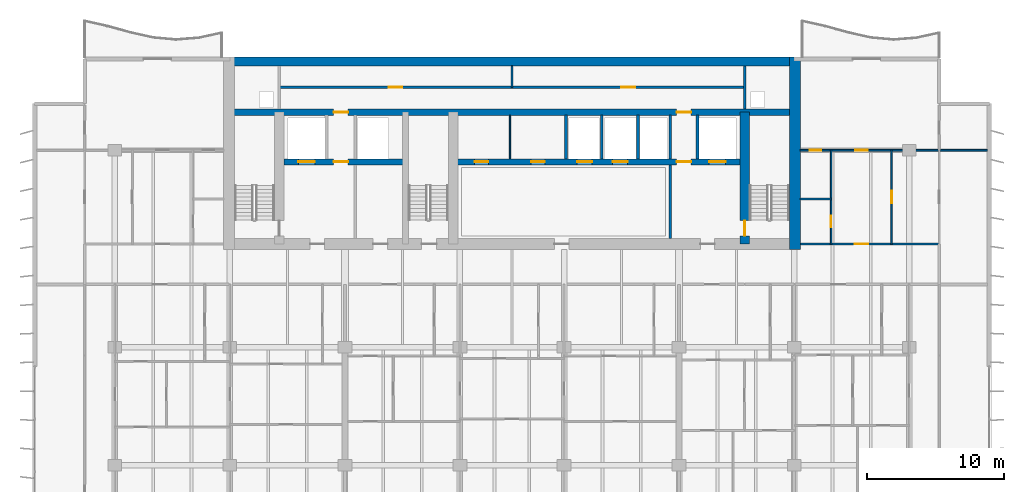
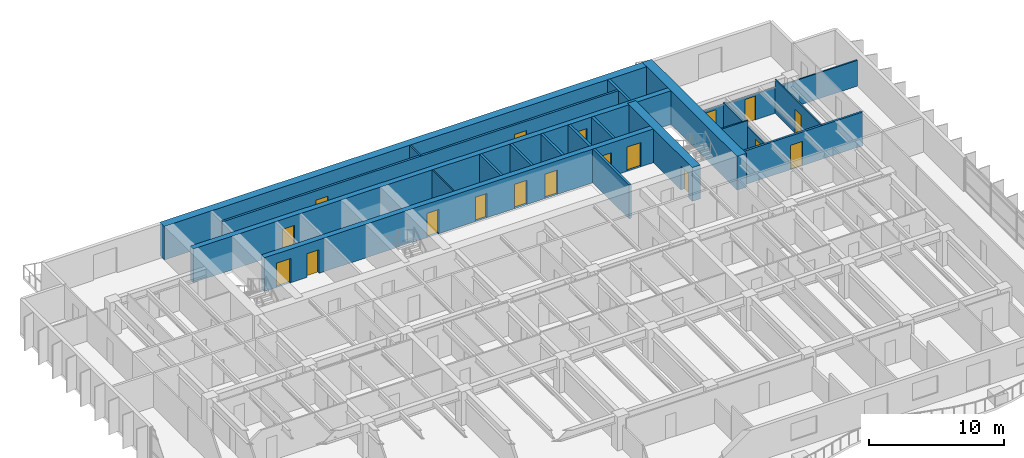
# One storey, part 10 of 15: 20 walls, 18 doors, 18 openings.
"""IFC4 building model written with IfcOpenShell, lengths in metres."""

import ifcopenshell
import ifcopenshell.guid

model = None  # the IFC model being written
_history = None  # IfcOwnerHistory: only IFC2X3 demands one
_inside = {}  # id of a spatial element -> (the spatial element, [elements in it])
_under = {}  # id of a project, library or spatial element -> (it, [spatial elements below it])
_declared = {}  # id of a project -> (the project, [libraries it declares])
_typed = {}  # id of a type object -> (the type object, [elements of that type])
_made_of = {}  # id of a material, layer set ... -> (it, [elements and type objects made of it])


def new_model(schema):
    """Start an empty IFC model of exactly this schema.

    Asked for "IFC4X3", IfcOpenShell would pick the latest addendum, in which some entities
    have other attributes; the version numbers below select the first issue.
    IFC2X3 requires an IfcOwnerHistory on every rooted entity: one is made here for all.
    """
    global model, _history
    if schema == "IFC4X3":
        model = ifcopenshell.file(schema_version=(4, 3, 0, 0))
    else:
        model = ifcopenshell.file(schema=schema)
    _inside.clear()
    _under.clear()
    _declared.clear()
    _typed.clear()
    _made_of.clear()
    _history = None
    if model.schema == "IFC2X3":
        org = make("IfcOrganization", Name="unknown")
        user = make(
            "IfcPersonAndOrganization",
            ThePerson=make("IfcPerson", FamilyName="unknown"),
            TheOrganization=org,
        )
        app = make(
            "IfcApplication",
            ApplicationDeveloper=org,
            Version="unknown",
            ApplicationFullName="unknown",
            ApplicationIdentifier="unknown",
        )
        _history = make(
            "IfcOwnerHistory",
            OwningUser=user,
            OwningApplication=app,
            ChangeAction="ADDED",
            CreationDate=0,
        )
    return model


def make(cls, **values):
    """One entity of the class cls with the attributes given. An attribute that is None is left unset."""
    return model.create_entity(
        cls, **{name: value for name, value in values.items() if value is not None}
    )


def rooted(cls, **values):
    """An entity with a GlobalId (a new one), such as an element, a storey or a relation."""
    return make(cls, GlobalId=ifcopenshell.guid.new(), OwnerHistory=_history, **values)


def si_unit(unit_type, name, prefix=None):
    """IfcSIUnit, for example si_unit("LENGTHUNIT", "METRE", prefix="MILLI")."""
    return make("IfcSIUnit", UnitType=unit_type, Prefix=prefix, Name=name)


def assignment(units):
    """IfcUnitAssignment: the units of a project."""
    return None if units is None else make("IfcUnitAssignment", Units=units)


def point(xyz):
    """IfcCartesianPoint."""
    return None if xyz is None else make("IfcCartesianPoint", Coordinates=xyz)


def direction(xyz):
    """IfcDirection."""
    return None if xyz is None else make("IfcDirection", DirectionRatios=xyz)


def frame(location, z_axis=None, x_axis=None):
    """IfcAxis2Placement3D, a coordinate frame: its origin and axes. An axis left out is left unset."""
    return make(
        "IfcAxis2Placement3D",
        Location=point(location),
        Axis=direction(z_axis),
        RefDirection=direction(x_axis),
    )


def frame_2d(location, x_axis=None):
    """IfcAxis2Placement2D, a coordinate frame in the plane: its origin and x axis."""
    return make(
        "IfcAxis2Placement2D", Location=point(location), RefDirection=direction(x_axis)
    )


def origin():
    """The frame at (0, 0, 0) with its axes left unset."""
    return frame((0.0, 0.0, 0.0))


def place(relative_to, where):
    """IfcLocalPlacement: puts the frame where relative to a parent placement (None: the world)."""
    return make(
        "IfcLocalPlacement", PlacementRelTo=relative_to, RelativePlacement=where
    )


def context(
    kind, dimensions, precision=None, world=None, true_north=None, identifier=None
):
    """IfcGeometricRepresentationContext, for example the 3D "Model" context."""
    return make(
        "IfcGeometricRepresentationContext",
        ContextIdentifier=identifier,
        ContextType=kind,
        CoordinateSpaceDimension=dimensions,
        Precision=precision,
        WorldCoordinateSystem=world,
        TrueNorth=true_north,
    )


def subcontext(parent, identifier, kind, view, scale=None):
    """IfcGeometricRepresentationSubContext, for example "Body" below "Model"."""
    return make(
        "IfcGeometricRepresentationSubContext",
        ContextIdentifier=identifier,
        ContextType=kind,
        ParentContext=parent,
        TargetScale=scale,
        TargetView=view,
    )


def project(units=None, contexts=None):
    """IfcProject with its units and contexts."""
    return rooted(
        "IfcProject",
        Name="project",
        RepresentationContexts=contexts,
        UnitsInContext=assignment(units),
    )


def spatial(cls, under=None, at=None, **own):
    """A site, building, storey or space (cls), placed at a placement, below another one or the project."""
    s = rooted(cls, ObjectPlacement=at, **own)
    if under is not None:
        _under.setdefault(under.id(), (under, []))[1].append(s)
    return s


def profile(cls, at=None, kind="AREA", **sizes):
    """A parametric profile (cls). Its sizes go by their IFC names, for example OverallWidth=200.0."""
    return make(cls, ProfileType=kind, Position=at, **sizes)


def rectangle(**sizes):
    """IfcRectangleProfileDef."""
    return profile("IfcRectangleProfileDef", **sizes)


def extrude(swept, where, along, depth):
    """IfcExtrudedAreaSolid: the profile swept, set in the frame where, extruded along a direction by depth."""
    return make(
        "IfcExtrudedAreaSolid",
        SweptArea=swept,
        Position=where,
        ExtrudedDirection=direction(along),
        Depth=depth,
    )


def shape(context_of_items, identifier, shape_type, items):
    """IfcShapeRepresentation: the items that make up one representation, for example the "Body"."""
    return make(
        "IfcShapeRepresentation",
        ContextOfItems=context_of_items,
        RepresentationIdentifier=identifier,
        RepresentationType=shape_type,
        Items=items,
    )


def material(Name=None, Category=None):
    """IfcMaterial."""
    return make("IfcMaterial", Name=Name, Category=Category)


def layer(
    of_material, thickness, ventilated=None, Name=None, Category=None, Priority=None
):
    """IfcMaterialLayer: one layer of a wall or slab, of a material (None: an air gap)."""
    return make(
        "IfcMaterialLayer",
        Material=of_material,
        LayerThickness=thickness,
        IsVentilated=ventilated,
        Name=Name,
        Category=Category,
        Priority=Priority,
    )


def layer_set(layers, Name=None):
    """IfcMaterialLayerSet."""
    return make("IfcMaterialLayerSet", MaterialLayers=layers, LayerSetName=Name)


def made_of(thing, what):
    """Note that an element or type object is made of a material, layer set ...; save() writes the relation."""
    if what is not None:
        _made_of.setdefault(what.id(), (what, []))[1].append(thing)
    return thing


def type_object(cls, material=None, **own):
    """A type object (cls), such as IfcWallType, which elements share."""
    return made_of(rooted(cls, **own), material)


def element(
    cls,
    number,
    at=None,
    inside=None,
    cuts=None,
    type_object=None,
    material=None,
    context=None,
    identifier="Body",
    shape_type=None,
    held_by="IfcProductDefinitionShape",
    body=None,
    shapes=None,
    **own,
):
    """One element of the class cls, such as IfcWall. Its Tag is "e" and its number.

    at: its placement. inside: the storey or other place that contains it. cuts: it is an
    opening in that element (IfcRelVoidsElement). A single representation is given by context,
    identifier, shape_type and body (its items); several are given by shapes. held_by: the class
    of the entity that holds the representations. save() writes the other relations.
    """
    e = rooted(cls, Tag="e%d" % number, ObjectPlacement=at, **own)
    if body is not None:
        shapes = [shape(context, identifier, shape_type, body)]
    if shapes is not None:
        e.Representation = make(held_by, Representations=shapes)
    if inside is not None:
        _inside.setdefault(inside.id(), (inside, []))[1].append(e)
    if cuts is not None:
        rooted(
            "IfcRelVoidsElement", RelatingBuildingElement=cuts, RelatedOpeningElement=e
        )
    if type_object is not None:
        _typed.setdefault(type_object.id(), (type_object, []))[1].append(e)
    return made_of(e, material)


def fill(opening, filler):
    """IfcRelFillsElement: the door or window that sits in an opening."""
    return rooted(
        "IfcRelFillsElement",
        RelatingOpeningElement=opening,
        RelatedBuildingElement=filler,
    )


def aggregate(whole, parts):
    """IfcRelAggregates: a whole, such as a stair, and the parts it consists of."""
    return rooted("IfcRelAggregates", RelatingObject=whole, RelatedObjects=parts)


def save(model, path):
    """Write the relations noted so far, then the file.

    IfcRelAggregates (storeys below a building ...), IfcRelContainedInSpatialStructure (elements
    in a storey), IfcRelDefinesByType, IfcRelAssociatesMaterial and IfcRelDeclares: one each for
    every whole, place, type object, material and project.
    """
    for whole, parts in _under.values():
        aggregate(whole, parts)
    for where, things in _inside.values():
        rooted(
            "IfcRelContainedInSpatialStructure",
            RelatedElements=things,
            RelatingStructure=where,
        )
    for kind, things in _typed.values():
        rooted("IfcRelDefinesByType", RelatedObjects=things, RelatingType=kind)
    for what, things in _made_of.values():
        rooted("IfcRelAssociatesMaterial", RelatedObjects=things, RelatingMaterial=what)
    for by, libraries in _declared.values():
        rooted("IfcRelDeclares", RelatingContext=by, RelatedDefinitions=libraries)
    model.write(path)


model = new_model("IFC4")

# Units and contexts
model_context = context("Model", 3, precision=1e-05, world=origin(), true_north=direction((0.0, 1.0)))
body_context = subcontext(model_context, "Body", "Model", "MODEL_VIEW")
ifc_project = project(units=[si_unit("LENGTHUNIT", "METRE"), si_unit("AREAUNIT", "SQUARE_METRE"), si_unit("VOLUMEUNIT", "CUBIC_METRE"), si_unit("PLANEANGLEUNIT", "RADIAN"), si_unit("MASSUNIT", "GRAM", prefix="KILO")], contexts=[model_context])

# Site, building, storey
site_placement = place(None, origin())
site = spatial("IfcSite", under=ifc_project, at=site_placement, CompositionType="ELEMENT")
building_placement = place(site_placement, origin())
building = spatial("IfcBuilding", under=site, at=building_placement, Name="Caelmar Bay Residences", CompositionType="ELEMENT")
storey_placement = place(building_placement, frame((0.0, 0.0, 132.300048828125)))
storey = spatial("IfcBuildingStorey", under=building, at=storey_placement, Name="L36", CompositionType="ELEMENT", Elevation=132.300048828125)

# Wall, opening, door
ifc_material_1 = material(Name="Concrete f'c 55 MPa (8,000 psi)", Category="concrete")
ifc_layer_1 = layer(ifc_material_1, 0.699951171875)
ifc_layer_set_1 = layer_set([ifc_layer_1], Name="Concrete f'c 55 MPa (8,000 psi)")
wall_type_1 = type_object("IfcWallType", Name="SW-COR-700", PredefinedType="SHEAR", material=ifc_layer_set_1)
wall_1_placement = place(storey_placement, frame((55.89990234375, 36.949951171875, 0.0), z_axis=(0.0, 0.0, 1.0), x_axis=(0.0, 1.0, 0.0)))
wall_1 = element("IfcWall", 1, at=wall_1_placement, inside=storey, type_object=wall_type_1, Name="L36 Core Structural Web Wall ST2W", PredefinedType="SHEAR", context=body_context, shape_type="SweptSolid", body=[
    extrude(rectangle(XDim=9.625, YDim=0.699951171875, at=frame_2d((4.8125, 0.0))), origin(), (0.0, 0.0, 1.0), 3.050048828125),
])
opening_1_placement = place(wall_1_placement, frame((0.60009765625, 0.0, 0.0)))
opening_1 = element("IfcOpeningElement", 2, at=opening_1_placement, cuts=wall_1, Name="Opening D-L36-110", PredefinedType="OPENING", context=body_context, shape_type="SweptSolid", body=[
    extrude(rectangle(XDim=1.10009765625, YDim=2.14990234375, at=frame_2d((0.550048828125, 1.074951171875))), frame((0.0, 0.35986328125, 0.0), z_axis=(0.0, -1.0, 0.0), x_axis=(1.0, 0.0, 0.0)), (0.0, 0.0, 1.0), 0.719970703125),
])
ifc_material_2 = material(Name="Fire-rated steel and walnut architectural door assembly", Category="steel")
ifc_layer_2 = layer(ifc_material_2, 0.050048828125)
ifc_layer_set_2 = layer_set([ifc_layer_2], Name="Fire-rated steel and walnut architectural door assembly")
door_type_1 = type_object("IfcDoorType", Name="D-STAIR-1100", OperationType="NOTDEFINED", PredefinedType="DOOR", material=ifc_layer_set_2)
door_1_placement = place(opening_1_placement, origin())
door_1 = element("IfcDoor", 3, at=door_1_placement, inside=storey, type_object=door_type_1, Name="L36 Firefighting Lobby East Door", OperationType="SINGLE_SWING_LEFT", OverallHeight=2.14990234375, OverallWidth=1.10009765625, PredefinedType="DOOR", context=body_context, shape_type="SweptSolid", body=[
    extrude(rectangle(XDim=1.10009765625, YDim=2.14990234375, at=frame_2d((0.550048828125, 1.074951171875))), frame((0.0, 0.02490234375, 0.0), z_axis=(0.0, -1.0, 0.0), x_axis=(1.0, 0.0, 0.0)), (0.0, 0.0, 1.0), 0.050048828125),
])
fill(opening_1, door_1)

# Walls
ifc_material_3 = material(Name="Concrete f'c 70 MPa (10,000 psi)", Category="concrete")
ifc_layer_3 = layer(ifc_material_3, 0.800048828125)
ifc_layer_set_3 = layer_set([ifc_layer_3], Name="Concrete f'c 70 MPa (10,000 psi)")
wall_type_2 = type_object("IfcWallType", Name="SW-COR-800", PredefinedType="SHEAR", material=ifc_layer_set_3)
wall_2_placement = place(storey_placement, frame((59.550048828125, 36.550048828125, 0.0), z_axis=(0.0, 0.0, 1.0), x_axis=(0.0, 1.0, 0.0)))
element("IfcWall", 4, at=wall_2_placement, inside=storey, type_object=wall_type_2, Name="L36 Rear Core East Shear Wall", PredefinedType="SHEAR", context=body_context, shape_type="SweptSolid", body=[
    extrude(rectangle(XDim=14.050048828125, YDim=0.800048828125, at=frame_2d((7.02490234375, 0.0))), origin(), (0.0, 0.0, 1.0), 3.050048828125),
])
ifc_layer_4 = layer(ifc_material_1, 0.64990234375)
ifc_layer_set_4 = layer_set([ifc_layer_4], Name="Concrete f'c 55 MPa (8,000 psi)")
wall_type_3 = type_object("IfcWallType", Name="SW-CORN-650", PredefinedType="SHEAR", material=ifc_layer_set_4)
wall_3_placement = place(storey_placement, frame((17.85009765625, 50.27490234375, 0.0), z_axis=(0.0, 0.0, 1.0), x_axis=(1.0, 0.0, 0.0)))
element("IfcWall", 5, at=wall_3_placement, inside=storey, type_object=wall_type_3, Name="L36 Rear Core North Shear Wall", PredefinedType="SHEAR", context=body_context, shape_type="SweptSolid", body=[
    extrude(rectangle(XDim=42.099853515625, YDim=0.64990234375, at=frame_2d((21.0498046875, 0.0))), origin(), (0.0, 0.0, 1.0), 3.050048828125),
])

# Wall, openings, doors
ifc_layer_5 = layer(ifc_material_3, 0.449951171875)
ifc_layer_set_5 = layer_set([ifc_layer_5], Name="Concrete f'c 70 MPa (10,000 psi)")
wall_type_4 = type_object("IfcWallType", Name="SW-WEB-450", PredefinedType="SHEAR", material=ifc_layer_set_5)
wall_4_placement = place(storey_placement, frame((22.25, 42.949951171875, 0.0), z_axis=(0.0, 0.0, 1.0), x_axis=(1.0, 0.0, 0.0)))
wall_4 = element("IfcWall", 6, at=wall_4_placement, inside=storey, type_object=wall_type_4, Name="L36 Core Structural Web Wall LFR", PredefinedType="SHEAR", context=body_context, shape_type="SweptSolid", body=[
    extrude(rectangle(XDim=33.300048828125, YDim=0.449951171875, at=frame_2d((16.64990234375, 0.0))), origin(), (0.0, 0.0, 1.0), 3.050048828125),
])
opening_2_placement = place(wall_4_placement, frame((1.050048828125, 0.0, 0.0)))
opening_2 = element("IfcOpeningElement", 7, at=opening_2_placement, cuts=wall_4, Name="Opening LD2", PredefinedType="OPENING", context=body_context, shape_type="SweptSolid", body=[
    extrude(rectangle(XDim=1.199951171875, YDim=2.199951171875, at=frame_2d((0.60009765625, 1.10009765625))), frame((0.0, 0.23486328125, 0.0), z_axis=(0.0, -1.0, 0.0), x_axis=(1.0, 0.0, 0.0)), (0.0, 0.0, 1.0), 0.469970703125),
])
opening_3_placement = place(wall_4_placement, frame((31.050048828125, 0.0, 0.0)))
opening_3 = element("IfcOpeningElement", 8, at=opening_3_placement, cuts=wall_4, Name="Opening LD2", PredefinedType="OPENING", context=body_context, shape_type="SweptSolid", body=[
    extrude(rectangle(XDim=1.199951171875, YDim=2.199951171875, at=frame_2d((0.60009765625, 1.10009765625))), frame((0.0, 0.23486328125, 0.0), z_axis=(0.0, -1.0, 0.0), x_axis=(1.0, 0.0, 0.0)), (0.0, 0.0, 1.0), 0.469970703125),
])
opening_4_placement = place(wall_4_placement, frame((21.39990234375, 0.0, 0.0)))
opening_4 = element("IfcOpeningElement", 9, at=opening_4_placement, cuts=wall_4, Name="Opening LD1", PredefinedType="OPENING", context=body_context, shape_type="SweptSolid", body=[
    extrude(rectangle(XDim=1.10009765625, YDim=2.199951171875, at=frame_2d((0.550048828125, 1.10009765625))), frame((0.0, 0.23486328125, 0.0), z_axis=(0.0, -1.0, 0.0), x_axis=(1.0, 0.0, 0.0)), (0.0, 0.0, 1.0), 0.469970703125),
])
opening_5_placement = place(wall_4_placement, frame((24.0, 0.0, 0.0)))
opening_5 = element("IfcOpeningElement", 10, at=opening_5_placement, cuts=wall_4, Name="Opening LD1", PredefinedType="OPENING", context=body_context, shape_type="SweptSolid", body=[
    extrude(rectangle(XDim=1.10009765625, YDim=2.199951171875, at=frame_2d((0.550048828125, 1.10009765625))), frame((0.0, 0.23486328125, 0.0), z_axis=(0.0, -1.0, 0.0), x_axis=(1.0, 0.0, 0.0)), (0.0, 0.0, 1.0), 0.469970703125),
])
opening_6_placement = place(wall_4_placement, frame((3.625, 0.0, 0.0)))
opening_6 = element("IfcOpeningElement", 11, at=opening_6_placement, cuts=wall_4, Name="Opening D-L36-108", PredefinedType="OPENING", context=body_context, shape_type="SweptSolid", body=[
    extrude(rectangle(XDim=1.050048828125, YDim=2.14990234375, at=frame_2d((0.52490234375, 1.074951171875))), frame((0.0, 0.23486328125, 0.0), z_axis=(0.0, -1.0, 0.0), x_axis=(1.0, 0.0, 0.0)), (0.0, 0.0, 1.0), 0.469970703125),
])
opening_7_placement = place(wall_4_placement, frame((28.675048828125, 0.0, 0.0)))
opening_7 = element("IfcOpeningElement", 12, at=opening_7_placement, cuts=wall_4, Name="Opening D-L36-111", PredefinedType="OPENING", context=body_context, shape_type="SweptSolid", body=[
    extrude(rectangle(XDim=1.050048828125, YDim=2.14990234375, at=frame_2d((0.52490234375, 1.074951171875))), frame((0.0, 0.23486328125, 0.0), z_axis=(0.0, -1.0, 0.0), x_axis=(1.0, 0.0, 0.0)), (0.0, 0.0, 1.0), 0.469970703125),
])
opening_8_placement = place(wall_4_placement, frame((13.925048828125, 0.0, 0.0)))
opening_8 = element("IfcOpeningElement", 13, at=opening_8_placement, cuts=wall_4, Name="Opening D-L36-114", PredefinedType="OPENING", context=body_context, shape_type="SweptSolid", body=[
    extrude(rectangle(XDim=1.0, YDim=2.199951171875, at=frame_2d((0.5, 1.10009765625))), frame((0.0, 0.23486328125, 0.0), z_axis=(0.0, -1.0, 0.0), x_axis=(1.0, 0.0, 0.0)), (0.0, 0.0, 1.0), 0.469970703125),
])
opening_9_placement = place(wall_4_placement, frame((18.050048828125, 0.0, 0.0)))
opening_9 = element("IfcOpeningElement", 14, at=opening_9_placement, cuts=wall_4, Name="Opening D-L36-115", PredefinedType="OPENING", context=body_context, shape_type="SweptSolid", body=[
    extrude(rectangle(XDim=1.0, YDim=2.199951171875, at=frame_2d((0.5, 1.10009765625))), frame((0.0, 0.23486328125, 0.0), z_axis=(0.0, -1.0, 0.0), x_axis=(1.0, 0.0, 0.0)), (0.0, 0.0, 1.0), 0.469970703125),
])
ifc_layer_6 = layer(ifc_material_2, 0.050048828125)
ifc_layer_set_6 = layer_set([ifc_layer_6], Name="Fire-rated steel and walnut architectural door assembly")
door_type_2 = type_object("IfcDoorType", Name="D-FSAE-1050", OperationType="NOTDEFINED", PredefinedType="DOOR", material=ifc_layer_set_6)
door_2_placement = place(opening_6_placement, origin())
door_2 = element("IfcDoor", 15, at=door_2_placement, inside=storey, type_object=door_type_2, Name="L36 Firefighting Lobby West Door", OperationType="SINGLE_SWING_LEFT", OverallHeight=2.14990234375, OverallWidth=1.050048828125, PredefinedType="DOOR", context=body_context, shape_type="SweptSolid", body=[
    extrude(rectangle(XDim=1.050048828125, YDim=2.14990234375, at=frame_2d((0.52490234375, 1.074951171875))), frame((0.0, 0.02490234375, 0.0), z_axis=(0.0, -1.0, 0.0), x_axis=(1.0, 0.0, 0.0)), (0.0, 0.0, 1.0), 0.050048828125),
])
fill(opening_6, door_2)
door_3_placement = place(opening_7_placement, origin())
door_3 = element("IfcDoor", 16, at=door_3_placement, inside=storey, type_object=door_type_2, Name="L36 Firefighting Lobby East Door", OperationType="SINGLE_SWING_RIGHT", OverallHeight=2.14990234375, OverallWidth=1.050048828125, PredefinedType="DOOR", context=body_context, shape_type="SweptSolid", body=[
    extrude(rectangle(XDim=1.050048828125, YDim=2.14990234375, at=frame_2d((0.52490234375, 1.074951171875))), frame((0.0, 0.02490234375, 0.0), z_axis=(0.0, -1.0, 0.0), x_axis=(1.0, 0.0, 0.0)), (0.0, 0.0, 1.0), 0.050048828125),
])
fill(opening_7, door_3)
ifc_material_4 = material(Name="Brushed bronze stainless-steel fire-rated lift landing doors", Category="steel")
ifc_layer_7 = layer(ifc_material_4, 0.050048828125)
ifc_layer_set_7 = layer_set([ifc_layer_7], Name="Brushed bronze stainless-steel fire-rated lift landing doors")
door_type_3 = type_object("IfcDoorType", Name="D-LND-1100", OperationType="DOUBLE_DOOR_SLIDING", PredefinedType="DOOR", material=ifc_layer_set_7)
door_4_placement = place(opening_4_placement, origin())
door_4 = element("IfcDoor", 17, at=door_4_placement, inside=storey, type_object=door_type_3, Name="L36 LP4 Sliding Landing Door", OperationType="DOUBLE_DOOR_SLIDING", OverallHeight=2.199951171875, OverallWidth=1.10009765625, PredefinedType="DOOR", context=body_context, shape_type="SweptSolid", body=[
    extrude(rectangle(XDim=1.10009765625, YDim=2.199951171875, at=frame_2d((0.550048828125, 1.10009765625))), frame((0.0, 0.02490234375, 0.0), z_axis=(0.0, -1.0, 0.0), x_axis=(1.0, 0.0, 0.0)), (0.0, 0.0, 1.0), 0.050048828125),
])
fill(opening_4, door_4)
door_5_placement = place(opening_5_placement, origin())
door_5 = element("IfcDoor", 18, at=door_5_placement, inside=storey, type_object=door_type_3, Name="L36 LP5 Sliding Landing Door", OperationType="DOUBLE_DOOR_SLIDING", OverallHeight=2.199951171875, OverallWidth=1.10009765625, PredefinedType="DOOR", context=body_context, shape_type="SweptSolid", body=[
    extrude(rectangle(XDim=1.10009765625, YDim=2.199951171875, at=frame_2d((0.550048828125, 1.10009765625))), frame((0.0, 0.02490234375, 0.0), z_axis=(0.0, -1.0, 0.0), x_axis=(1.0, 0.0, 0.0)), (0.0, 0.0, 1.0), 0.050048828125),
])
fill(opening_5, door_5)
ifc_material_5 = material(Name="Brushed stainless-steel FSAE sliding landing door", Category="steel")
ifc_layer_8 = layer(ifc_material_5, 0.050048828125)
ifc_layer_set_8 = layer_set([ifc_layer_8], Name="Brushed stainless-steel FSAE sliding landing door")
door_type_4 = type_object("IfcDoorType", Name="D-LND-1200", OperationType="DOUBLE_DOOR_SLIDING", PredefinedType="DOOR", material=ifc_layer_set_8)
door_6_placement = place(opening_2_placement, origin())
door_6 = element("IfcDoor", 19, at=door_6_placement, inside=storey, type_object=door_type_4, Name="L36 LF1 Sliding Landing Door", OperationType="DOUBLE_DOOR_SLIDING", OverallHeight=2.199951171875, OverallWidth=1.199951171875, PredefinedType="DOOR", context=body_context, shape_type="SweptSolid", body=[
    extrude(rectangle(XDim=1.199951171875, YDim=2.199951171875, at=frame_2d((0.60009765625, 1.10009765625))), frame((0.0, 0.02490234375, 0.0), z_axis=(0.0, -1.0, 0.0), x_axis=(1.0, 0.0, 0.0)), (0.0, 0.0, 1.0), 0.050048828125),
])
fill(opening_2, door_6)
door_7_placement = place(opening_3_placement, origin())
door_7 = element("IfcDoor", 20, at=door_7_placement, inside=storey, type_object=door_type_4, Name="L36 LF2 Sliding Landing Door", OperationType="DOUBLE_DOOR_SLIDING", OverallHeight=2.199951171875, OverallWidth=1.199951171875, PredefinedType="DOOR", context=body_context, shape_type="SweptSolid", body=[
    extrude(rectangle(XDim=1.199951171875, YDim=2.199951171875, at=frame_2d((0.60009765625, 1.10009765625))), frame((0.0, 0.02490234375, 0.0), z_axis=(0.0, -1.0, 0.0), x_axis=(1.0, 0.0, 0.0)), (0.0, 0.0, 1.0), 0.050048828125),
])
fill(opening_3, door_7)
ifc_layer_9 = layer(ifc_material_2, 0.050048828125)
ifc_layer_set_9 = layer_set([ifc_layer_9], Name="Fire-rated steel and walnut architectural door assembly")
door_type_5 = type_object("IfcDoorType", Name="D-UNIT-1000", OperationType="NOTDEFINED", PredefinedType="DOOR", material=ifc_layer_set_9)
door_8_placement = place(opening_8_placement, origin())
door_8 = element("IfcDoor", 21, at=door_8_placement, inside=storey, type_object=door_type_5, Name="L36 Residents Study Room Door", OperationType="SINGLE_SWING_LEFT", OverallHeight=2.199951171875, OverallWidth=1.0, PredefinedType="DOOR", context=body_context, shape_type="SweptSolid", body=[
    extrude(rectangle(XDim=1.0, YDim=2.199951171875, at=frame_2d((0.5, 1.10009765625))), frame((0.0, 0.02490234375, 0.0), z_axis=(0.0, -1.0, 0.0), x_axis=(1.0, 0.0, 0.0)), (0.0, 0.0, 1.0), 0.050048828125),
])
fill(opening_8, door_8)
door_9_placement = place(opening_9_placement, origin())
door_9 = element("IfcDoor", 22, at=door_9_placement, inside=storey, type_object=door_type_5, Name="L36 Wine Tasting Room Door", OperationType="SINGLE_SWING_RIGHT", OverallHeight=2.199951171875, OverallWidth=1.0, PredefinedType="DOOR", context=body_context, shape_type="SweptSolid", body=[
    extrude(rectangle(XDim=1.0, YDim=2.199951171875, at=frame_2d((0.5, 1.10009765625))), frame((0.0, 0.02490234375, 0.0), z_axis=(0.0, -1.0, 0.0), x_axis=(1.0, 0.0, 0.0)), (0.0, 0.0, 1.0), 0.050048828125),
])
fill(opening_9, door_9)

wall_5_placement = place(storey_placement, frame((18.25, 46.574951171875, 0.0), z_axis=(0.0, 0.0, 1.0), x_axis=(1.0, 0.0, 0.0)))
wall_5 = element("IfcWall", 23, at=wall_5_placement, inside=storey, type_object=wall_type_4, Name="L36 Core Structural Web Wall SRVS", PredefinedType="SHEAR", context=body_context, shape_type="SweptSolid", body=[
    extrude(rectangle(XDim=41.300048828125, YDim=0.449951171875, at=frame_2d((20.64990234375, 0.0))), origin(), (0.0, 0.0, 1.0), 3.050048828125),
])
opening_10_placement = place(wall_5_placement, frame((7.625, 0.0, 0.0)))
opening_10 = element("IfcOpeningElement", 24, at=opening_10_placement, cuts=wall_5, Name="Opening D-L36-116", PredefinedType="OPENING", context=body_context, shape_type="SweptSolid", body=[
    extrude(rectangle(XDim=1.050048828125, YDim=2.14990234375, at=frame_2d((0.52490234375, 1.074951171875))), frame((0.0, 0.23486328125, 0.0), z_axis=(0.0, -1.0, 0.0), x_axis=(1.0, 0.0, 0.0)), (0.0, 0.0, 1.0), 0.469970703125),
])
opening_11_placement = place(wall_5_placement, frame((32.675048828125, 0.0, 0.0)))
opening_11 = element("IfcOpeningElement", 25, at=opening_11_placement, cuts=wall_5, Name="Opening D-L36-117", PredefinedType="OPENING", context=body_context, shape_type="SweptSolid", body=[
    extrude(rectangle(XDim=1.050048828125, YDim=2.14990234375, at=frame_2d((0.52490234375, 1.074951171875))), frame((0.0, 0.23486328125, 0.0), z_axis=(0.0, -1.0, 0.0), x_axis=(1.0, 0.0, 0.0)), (0.0, 0.0, 1.0), 0.469970703125),
])
door_10_placement = place(opening_10_placement, origin())
door_10 = element("IfcDoor", 26, at=door_10_placement, inside=storey, type_object=door_type_2, Name="L36 Core Service Corridor Door", OperationType="SINGLE_SWING_LEFT", OverallHeight=2.14990234375, OverallWidth=1.050048828125, PredefinedType="DOOR", context=body_context, shape_type="SweptSolid", body=[
    extrude(rectangle(XDim=1.050048828125, YDim=2.14990234375, at=frame_2d((0.52490234375, 1.074951171875))), frame((0.0, 0.02490234375, 0.0), z_axis=(0.0, -1.0, 0.0), x_axis=(1.0, 0.0, 0.0)), (0.0, 0.0, 1.0), 0.050048828125),
])
fill(opening_10, door_10)
door_11_placement = place(opening_11_placement, origin())
door_11 = element("IfcDoor", 27, at=door_11_placement, inside=storey, type_object=door_type_2, Name="L36 Core Service Corridor Door", OperationType="SINGLE_SWING_RIGHT", OverallHeight=2.14990234375, OverallWidth=1.050048828125, PredefinedType="DOOR", context=body_context, shape_type="SweptSolid", body=[
    extrude(rectangle(XDim=1.050048828125, YDim=2.14990234375, at=frame_2d((0.52490234375, 1.074951171875))), frame((0.0, 0.02490234375, 0.0), z_axis=(0.0, -1.0, 0.0), x_axis=(1.0, 0.0, 0.0)), (0.0, 0.0, 1.0), 0.050048828125),
])
fill(opening_11, door_11)

# Wall, opening, door
ifc_material_6 = material(Name="Double-stud acoustic fire-rated gypsum partition 180 mm")
ifc_layer_10 = layer(ifc_material_6, 0.179931640625)
ifc_layer_set_10 = layer_set([ifc_layer_10], Name="Double-stud acoustic fire-rated gypsum partition 180 mm")
wall_type_5 = type_object("IfcWallType", Name="W-COR-200", PredefinedType="PARTITIONING", material=ifc_layer_set_10)
wall_6_placement = place(storey_placement, frame((59.955078125, 36.949951171875, 0.0), z_axis=(0.0, 0.0, 1.0), x_axis=(1.0, 0.0, 0.0)))
wall_6 = element("IfcWall", 28, at=wall_6_placement, inside=storey, type_object=wall_type_5, Name="L36 Partition Wall H099", PredefinedType="PARTITIONING", context=body_context, shape_type="SweptSolid", body=[
    extrude(rectangle(XDim=10.14501953125, YDim=0.179931640625, at=frame_2d((5.072509765625, 0.0))), origin(), (0.0, 0.0, 1.0), 3.050048828125),
])
opening_12_placement = place(wall_6_placement, frame((3.95703125, 0.0, 0.0)))
opening_12 = element("IfcOpeningElement", 29, at=opening_12_placement, cuts=wall_6, Name="Opening D-L36-171", PredefinedType="OPENING", context=body_context, shape_type="SweptSolid", body=[
    extrude(rectangle(XDim=1.0, YDim=2.199951171875, at=frame_2d((0.5, 1.10009765625))), frame((0.0, 0.099853515625, 0.0), z_axis=(0.0, -1.0, 0.0), x_axis=(1.0, 0.0, 0.0)), (0.0, 0.0, 1.0), 0.199951171875),
])
door_12_placement = place(opening_12_placement, origin())
door_12 = element("IfcDoor", 30, at=door_12_placement, inside=storey, type_object=door_type_5, Name="L36 Residence EA Kitchen Door", OperationType="SINGLE_SWING_RIGHT", OverallHeight=2.199951171875, OverallWidth=1.0, PredefinedType="DOOR", context=body_context, shape_type="SweptSolid", body=[
    extrude(rectangle(XDim=1.0, YDim=2.199951171875, at=frame_2d((0.5, 1.10009765625))), frame((0.0, 0.02490234375, 0.0), z_axis=(0.0, -1.0, 0.0), x_axis=(1.0, 0.0, 0.0)), (0.0, 0.0, 1.0), 0.050048828125),
])
fill(opening_12, door_12)

# Wall, openings, doors
wall_7_placement = place(storey_placement, frame((21.89990234375, 48.39990234375, 0.0), z_axis=(0.0, 0.0, 1.0), x_axis=(1.0, 0.0, 0.0)))
wall_7 = element("IfcWall", 31, at=wall_7_placement, inside=storey, type_object=wall_type_5, Name="L36 Partition Wall H104", PredefinedType="PARTITIONING", context=body_context, shape_type="SweptSolid", body=[
    extrude(rectangle(XDim=33.986083984375, YDim=0.179931640625, at=frame_2d((16.9931640625, 0.0))), origin(), (0.0, 0.0, 1.0), 3.050048828125),
])
opening_13_placement = place(wall_7_placement, frame((8.0, 0.0, 0.0)))
opening_13 = element("IfcOpeningElement", 32, at=opening_13_placement, cuts=wall_7, Name="Opening D-L36-118", PredefinedType="OPENING", context=body_context, shape_type="SweptSolid", body=[
    extrude(rectangle(XDim=1.0, YDim=2.199951171875, at=frame_2d((0.5, 1.10009765625))), frame((0.0, 0.099853515625, 0.0), z_axis=(0.0, -1.0, 0.0), x_axis=(1.0, 0.0, 0.0)), (0.0, 0.0, 1.0), 0.199951171875),
])
opening_14_placement = place(wall_7_placement, frame((24.992919921875, 0.0, 0.0)))
opening_14 = element("IfcOpeningElement", 33, at=opening_14_placement, cuts=wall_7, Name="Opening D-L36-119", PredefinedType="OPENING", context=body_context, shape_type="SweptSolid", body=[
    extrude(rectangle(XDim=1.0, YDim=2.199951171875, at=frame_2d((0.5, 1.10009765625))), frame((0.0, 0.099853515625, 0.0), z_axis=(0.0, -1.0, 0.0), x_axis=(1.0, 0.0, 0.0)), (0.0, 0.0, 1.0), 0.199951171875),
])
door_13_placement = place(opening_13_placement, origin())
door_13 = element("IfcDoor", 34, at=door_13_placement, inside=storey, type_object=door_type_5, Name="L36 Building Management Office Door", OperationType="SINGLE_SWING_LEFT", OverallHeight=2.199951171875, OverallWidth=1.0, PredefinedType="DOOR", context=body_context, shape_type="SweptSolid", body=[
    extrude(rectangle(XDim=1.0, YDim=2.199951171875, at=frame_2d((0.5, 1.10009765625))), frame((0.0, 0.02490234375, 0.0), z_axis=(0.0, -1.0, 0.0), x_axis=(1.0, 0.0, 0.0)), (0.0, 0.0, 1.0), 0.050048828125),
])
fill(opening_13, door_13)
door_14_placement = place(opening_14_placement, origin())
door_14 = element("IfcDoor", 35, at=door_14_placement, inside=storey, type_object=door_type_5, Name="L36 Concierge Operations Office Door", OperationType="SINGLE_SWING_RIGHT", OverallHeight=2.199951171875, OverallWidth=1.0, PredefinedType="DOOR", context=body_context, shape_type="SweptSolid", body=[
    extrude(rectangle(XDim=1.0, YDim=2.199951171875, at=frame_2d((0.5, 1.10009765625))), frame((0.0, 0.02490234375, 0.0), z_axis=(0.0, -1.0, 0.0), x_axis=(1.0, 0.0, 0.0)), (0.0, 0.0, 1.0), 0.050048828125),
])
fill(opening_14, door_14)

# Walls
ifc_material_7 = material(Name="Fire-rated masonry and gypsum shaftliner assembly 200 mm", Category="masonry")
ifc_layer_11 = layer(ifc_material_7, 0.199951171875)
ifc_layer_set_11 = layer_set([ifc_layer_11], Name="Fire-rated masonry and gypsum shaftliner assembly 200 mm")
wall_type_6 = type_object("IfcWallType", Name="W-FSAE-200", PredefinedType="PARTITIONING", material=ifc_layer_set_11)
for number, where, z_axis, x_axis, name in (
    (36, (42.85009765625, 43.169921875, 0.0), (0.0, 0.0, 1.0), (0.0, 1.0, 0.0), "L36 Partition Wall V038"),
    (37, (45.449951171875, 43.169921875, 0.0), (0.0, 0.0, 1.0), (0.0, 1.0, 0.0), "L36 Partition Wall V039"),
    (38, (48.10009765625, 43.169921875, 0.0), (0.0, 0.0, 1.0), (0.0, 1.0, 0.0), "L36 Partition Wall V040"),
):
    element("IfcWall", number, at=place(storey_placement, frame(where, z_axis=z_axis, x_axis=x_axis)), inside=storey, type_object=wall_type_6, Name=name, PredefinedType="PARTITIONING", context=body_context, shape_type="SweptSolid", body=[
        extrude(rectangle(XDim=3.18505859375, YDim=0.199951171875, at=frame_2d((1.592529296875, 0.0))), origin(), (0.0, 0.0, 1.0), 3.050048828125),
    ])
wall_8_placement = place(storey_placement, frame((50.449951171875, 37.344970703125, 0.0), z_axis=(0.0, 0.0, 1.0), x_axis=(0.0, 1.0, 0.0)))
element("IfcWall", 39, at=wall_8_placement, inside=storey, type_object=wall_type_6, Name="L36 Partition Wall V042", PredefinedType="PARTITIONING", context=body_context, shape_type="SweptSolid", body=[
    extrude(rectangle(XDim=5.385009765625, YDim=0.199951171875, at=frame_2d((2.6923828125, 0.0))), origin(), (0.0, 0.0, 1.0), 3.050048828125),
])
for number, where, z_axis, x_axis, name in (
    (40, (50.449951171875, 43.169921875, 0.0), (0.0, 0.0, 1.0), (0.0, 1.0, 0.0), "L36 Partition Wall V043"),
    (41, (52.449951171875, 43.169921875, 0.0), (0.0, 0.0, 1.0), (0.0, 1.0, 0.0), "L36 Partition Wall V047"),
):
    element("IfcWall", number, at=place(storey_placement, frame(where, z_axis=z_axis, x_axis=x_axis)), inside=storey, type_object=wall_type_6, Name=name, PredefinedType="PARTITIONING", context=body_context, shape_type="SweptSolid", body=[
        extrude(rectangle(XDim=3.18505859375, YDim=0.199951171875, at=frame_2d((1.592529296875, 0.0))), origin(), (0.0, 0.0, 1.0), 3.050048828125),
    ])
wall_9_placement = place(storey_placement, frame((55.89990234375, 46.794921875, 0.0), z_axis=(0.0, 0.0, 1.0), x_axis=(0.0, 1.0, 0.0)))
element("IfcWall", 42, at=wall_9_placement, inside=storey, type_object=wall_type_6, Name="L36 Partition Wall V051", PredefinedType="PARTITIONING", context=body_context, shape_type="SweptSolid", body=[
    extrude(rectangle(XDim=3.16015625, YDim=0.199951171875, at=frame_2d((1.580078125, 0.0))), origin(), (0.0, 0.0, 1.0), 3.050048828125),
])
ifc_material_8 = material(Name="Anodised bronze framed acoustic sliding study partition 100 mm")
ifc_layer_12 = layer(ifc_material_8, 0.10009765625)
ifc_layer_set_12 = layer_set([ifc_layer_12], Name="Anodised bronze framed acoustic sliding study partition 100 mm")
wall_type_7 = type_object("IfcWallType", Name="W-MOV-100", PredefinedType="MOVABLE", material=ifc_layer_set_12)
wall_10_placement = place(storey_placement, frame((38.75, 43.169921875, 0.0), z_axis=(0.0, 0.0, 1.0), x_axis=(0.0, 1.0, 0.0)))
element("IfcWall", 43, at=wall_10_placement, inside=storey, type_object=wall_type_7, Name="L36 Partition Wall V031", PredefinedType="MOVABLE", context=body_context, shape_type="SweptSolid", body=[
    extrude(rectangle(XDim=3.18505859375, YDim=0.10009765625, at=frame_2d((1.592529296875, 0.0))), origin(), (0.0, 0.0, 1.0), 3.050048828125),
])
ifc_material_9 = material(Name="Acoustic metal-stud gypsum partition 120 mm")
ifc_layer_13 = layer(ifc_material_9, 0.1201171875)
ifc_layer_set_13 = layer_set([ifc_layer_13], Name="Acoustic metal-stud gypsum partition 120 mm")
wall_type_8 = type_object("IfcWallType", Name="W-PRT-120", PredefinedType="PARTITIONING", material=ifc_layer_set_13)
wall_11_placement = place(storey_placement, frame((38.89990234375, 48.39990234375, 0.0), z_axis=(0.0, 0.0, 1.0), x_axis=(0.0, 1.0, 0.0)))
element("IfcWall", 44, at=wall_11_placement, inside=storey, type_object=wall_type_8, Name="L36 Partition Wall V032", PredefinedType="PARTITIONING", context=body_context, shape_type="SweptSolid", body=[
    extrude(rectangle(XDim=1.55517578125, YDim=0.1201171875, at=frame_2d((0.777587890625, 0.0))), origin(), (0.0, 0.0, 1.0), 3.050048828125),
])

# Wall, opening, door
wall_12_placement = place(storey_placement, frame((62.199951171875, 36.949951171875, 0.0), z_axis=(0.0, 0.0, 1.0), x_axis=(0.0, 1.0, 0.0)))
wall_12 = element("IfcWall", 45, at=wall_12_placement, inside=storey, type_object=wall_type_8, Name="L36 Partition Wall V057", PredefinedType="PARTITIONING", context=body_context, shape_type="SweptSolid", body=[
    extrude(rectangle(XDim=6.85009765625, YDim=0.1201171875, at=frame_2d((3.425048828125, 0.0))), origin(), (0.0, 0.0, 1.0), 2.4990234375),
])
opening_15_placement = place(wall_12_placement, frame((1.218994140625, 0.0, 0.0)))
opening_15 = element("IfcOpeningElement", 46, at=opening_15_placement, cuts=wall_12, Name="Opening D-L36-173", PredefinedType="OPENING", context=body_context, shape_type="SweptSolid", body=[
    extrude(rectangle(XDim=0.85009765625, YDim=2.10009765625, at=frame_2d((0.425048828125, 1.050048828125))), frame((0.0, 0.070068359375, 0.0), z_axis=(0.0, -1.0, 0.0), x_axis=(1.0, 0.0, 0.0)), (0.0, 0.0, 1.0), 0.14013671875),
])
ifc_material_10 = material(Name="Solid walnut timber interior door leaf and frame", Category="wood")
ifc_layer_14 = layer(ifc_material_10, 0.050048828125)
ifc_layer_set_14 = layer_set([ifc_layer_14], Name="Solid walnut timber interior door leaf and frame")
door_type_6 = type_object("IfcDoorType", Name="D-BATH-850", OperationType="NOTDEFINED", PredefinedType="DOOR", material=ifc_layer_set_14)
door_15_placement = place(opening_15_placement, origin())
door_15 = element("IfcDoor", 47, at=door_15_placement, inside=storey, type_object=door_type_6, Name="L36 Residence EA Walk-In Closet Door", OperationType="SINGLE_SWING_RIGHT", OverallHeight=2.10009765625, OverallWidth=0.85009765625, PredefinedType="DOOR", context=body_context, shape_type="SweptSolid", body=[
    extrude(rectangle(XDim=0.85009765625, YDim=2.10009765625, at=frame_2d((0.425048828125, 1.050048828125))), frame((0.0, 0.02490234375, 0.0), z_axis=(0.0, -1.0, 0.0), x_axis=(1.0, 0.0, 0.0)), (0.0, 0.0, 1.0), 0.050048828125),
])
fill(opening_15, door_15)

wall_13_placement = place(storey_placement, frame((66.6240234375, 36.949951171875, 0.0), z_axis=(0.0, 0.0, 1.0), x_axis=(0.0, 1.0, 0.0)))
wall_13 = element("IfcWall", 48, at=wall_13_placement, inside=storey, type_object=wall_type_8, Name="L36 Partition Wall V062", PredefinedType="PARTITIONING", context=body_context, shape_type="SweptSolid", body=[
    extrude(rectangle(XDim=6.85009765625, YDim=0.1201171875, at=frame_2d((3.425048828125, 0.0))), origin(), (0.0, 0.0, 1.0), 3.050048828125),
])
opening_16_placement = place(wall_13_placement, frame((2.97509765625, 0.0, 0.0)))
opening_16 = element("IfcOpeningElement", 49, at=opening_16_placement, cuts=wall_13, Name="Opening D-L36-170", PredefinedType="OPENING", context=body_context, shape_type="SweptSolid", body=[
    extrude(rectangle(XDim=0.89990234375, YDim=2.14990234375, at=frame_2d((0.449951171875, 1.074951171875))), frame((0.0, 0.070068359375, 0.0), z_axis=(0.0, -1.0, 0.0), x_axis=(1.0, 0.0, 0.0)), (0.0, 0.0, 1.0), 0.14013671875),
])
ifc_layer_15 = layer(ifc_material_10, 0.050048828125)
ifc_layer_set_15 = layer_set([ifc_layer_15], Name="Solid walnut timber interior door leaf and frame")
door_type_7 = type_object("IfcDoorType", Name="D-ROOM-900", OperationType="NOTDEFINED", PredefinedType="DOOR", material=ifc_layer_set_15)
door_16_placement = place(opening_16_placement, origin())
door_16 = element("IfcDoor", 50, at=door_16_placement, inside=storey, type_object=door_type_7, Name="L36 Residence EA Dining Room Door", OperationType="SINGLE_SWING_LEFT", OverallHeight=2.14990234375, OverallWidth=0.89990234375, PredefinedType="DOOR", context=body_context, shape_type="SweptSolid", body=[
    extrude(rectangle(XDim=0.89990234375, YDim=2.14990234375, at=frame_2d((0.449951171875, 1.074951171875))), frame((0.0, 0.02490234375, 0.0), z_axis=(0.0, -1.0, 0.0), x_axis=(1.0, 0.0, 0.0)), (0.0, 0.0, 1.0), 0.050048828125),
])
fill(opening_16, door_16)

# Wall
wall_14_placement = place(storey_placement, frame((59.945068359375, 40.238037109375, 0.0), z_axis=(0.0, 0.0, 1.0), x_axis=(1.0, 0.0, 0.0)))
element("IfcWall", 51, at=wall_14_placement, inside=storey, type_object=wall_type_8, Name="L36 Partition Wall H101", PredefinedType="PARTITIONING", context=body_context, shape_type="SweptSolid", body=[
    extrude(rectangle(XDim=2.2548828125, YDim=0.1201171875, at=frame_2d((1.12744140625, 0.0))), origin(), (0.0, 0.0, 1.0), 3.050048828125),
])

# Wall, openings, doors
wall_15_placement = place(storey_placement, frame((59.945068359375, 43.800048828125, 0.0), z_axis=(0.0, 0.0, 1.0), x_axis=(1.0, 0.0, 0.0)))
wall_15 = element("IfcWall", 52, at=wall_15_placement, inside=storey, type_object=wall_type_8, Name="L36 Partition Wall H103", PredefinedType="PARTITIONING", context=body_context, shape_type="SweptSolid", body=[
    extrude(rectangle(XDim=13.659912109375, YDim=0.1201171875, at=frame_2d((6.830078125, 0.0))), origin(), (0.0, 0.0, 1.0), 2.3388671875),
])
opening_17_placement = place(wall_15_placement, frame((4.01708984375, 0.0, 0.0)))
opening_17 = element("IfcOpeningElement", 53, at=opening_17_placement, cuts=wall_15, Name="Opening D-L36-172", PredefinedType="OPENING", context=body_context, shape_type="SweptSolid", body=[
    extrude(rectangle(XDim=0.89990234375, YDim=2.14990234375, at=frame_2d((0.449951171875, 1.074951171875))), frame((0.0, 0.070068359375, 0.0), z_axis=(0.0, -1.0, 0.0), x_axis=(1.0, 0.0, 0.0)), (0.0, 0.0, 1.0), 0.14013671875),
])
opening_18_placement = place(wall_15_placement, frame((0.702392578125, 0.0, 0.0)))
opening_18 = element("IfcOpeningElement", 54, at=opening_18_placement, cuts=wall_15, Name="Opening D-L36-174", PredefinedType="OPENING", context=body_context, shape_type="SweptSolid", body=[
    extrude(rectangle(XDim=0.85009765625, YDim=2.10009765625, at=frame_2d((0.425048828125, 1.050048828125))), frame((0.0, 0.070068359375, 0.0), z_axis=(0.0, -1.0, 0.0), x_axis=(1.0, 0.0, 0.0)), (0.0, 0.0, 1.0), 0.14013671875),
])
door_17_placement = place(opening_18_placement, origin())
door_17 = element("IfcDoor", 55, at=door_17_placement, inside=storey, type_object=door_type_6, Name="L36 Residence EA Bathroom Door", OperationType="SINGLE_SWING_LEFT", OverallHeight=2.10009765625, OverallWidth=0.85009765625, PredefinedType="DOOR", context=body_context, shape_type="SweptSolid", body=[
    extrude(rectangle(XDim=0.85009765625, YDim=2.10009765625, at=frame_2d((0.425048828125, 1.050048828125))), frame((0.0, 0.02490234375, 0.0), z_axis=(0.0, -1.0, 0.0), x_axis=(1.0, 0.0, 0.0)), (0.0, 0.0, 1.0), 0.050048828125),
])
fill(opening_18, door_17)
door_18_placement = place(opening_17_placement, origin())
door_18 = element("IfcDoor", 56, at=door_18_placement, inside=storey, type_object=door_type_7, Name="L36 Residence EA Studio Living and Sleeping Room Door", OperationType="SINGLE_SWING_LEFT", OverallHeight=2.14990234375, OverallWidth=0.89990234375, PredefinedType="DOOR", context=body_context, shape_type="SweptSolid", body=[
    extrude(rectangle(XDim=0.89990234375, YDim=2.14990234375, at=frame_2d((0.449951171875, 1.074951171875))), frame((0.0, 0.02490234375, 0.0), z_axis=(0.0, -1.0, 0.0), x_axis=(1.0, 0.0, 0.0)), (0.0, 0.0, 1.0), 0.050048828125),
])
fill(opening_17, door_18)

save(model, "model.ifc")
